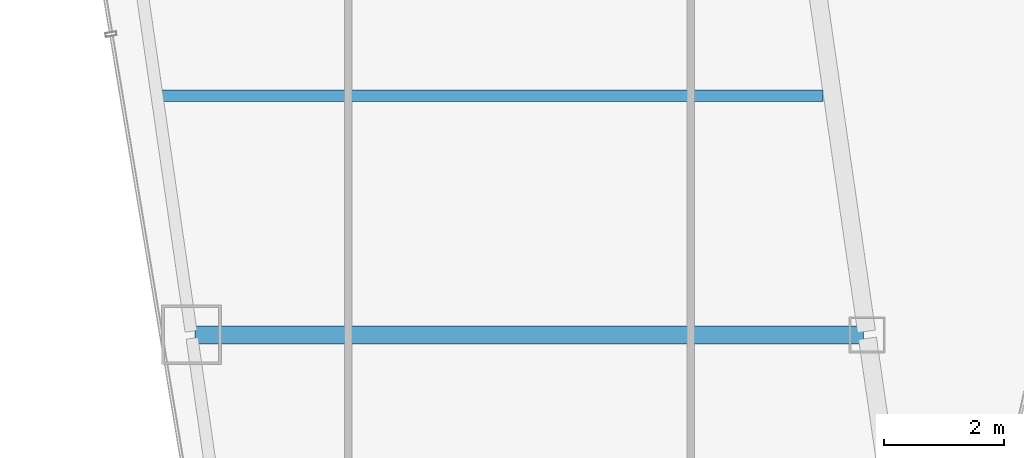
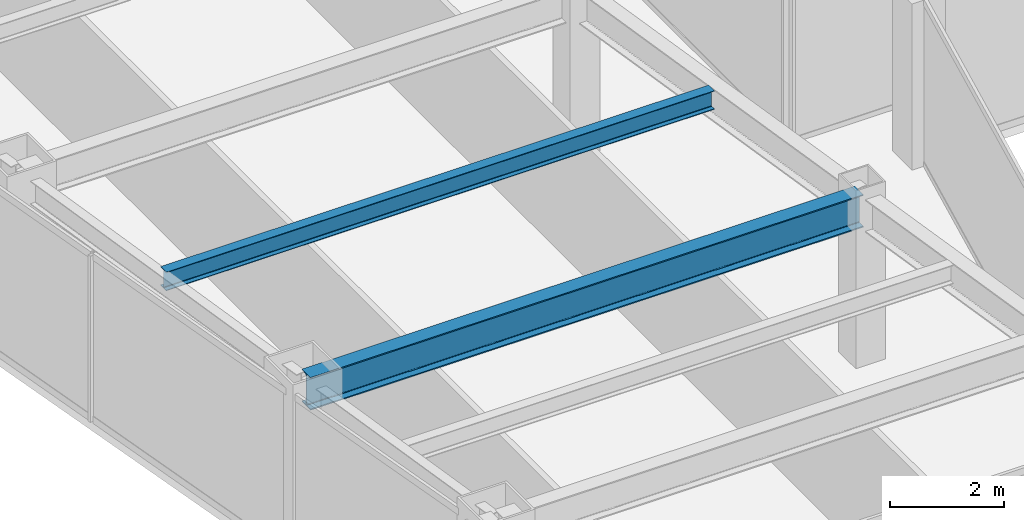
# One storey, part 4 of 38: 2 beams.
"""IFC4 building model written with IfcOpenShell, lengths in metres."""

from ifc_helpers import new_model, si_unit, direction, frame, origin, origin_2d, place, context, subcontext, project, spatial, i_section, extrude, material, material_profile, profile_set, type_object, element, save


model = new_model("IFC4")

# Units and contexts
model_context = context("Model", 3, precision=1e-05, world=origin(), true_north=direction((0.0, 1.0)))
body_context = subcontext(model_context, "Body", "Model", "MODEL_VIEW")
ifc_project = project(units=[si_unit("LENGTHUNIT", "METRE"), si_unit("AREAUNIT", "SQUARE_METRE"), si_unit("VOLUMEUNIT", "CUBIC_METRE"), si_unit("PLANEANGLEUNIT", "RADIAN"), si_unit("MASSUNIT", "GRAM", prefix="KILO")], contexts=[model_context])

# Site, building, storey
site_placement = place(None, origin())
site = spatial("IfcSite", under=ifc_project, at=site_placement, CompositionType="ELEMENT")
building_placement = place(site_placement, origin())
building = spatial("IfcBuilding", under=site, at=building_placement, Name="Saevonmaru Cultural Tower", CompositionType="ELEMENT")
storey_placement = place(building_placement, frame((0.0, 0.0, 133.39990234375)))
storey = spatial("IfcBuildingStorey", under=building, at=storey_placement, Name="L28", CompositionType="ELEMENT", Elevation=133.39990234375)

# Beams
ifc_material = material(Name="Steel SM355", Category="steel")
ifc_material_profile_1 = material_profile(ifc_material, i_section(OverallWidth=0.300048828125, OverallDepth=0.699951171875, WebThickness=0.012939453125, FlangeThickness=0.02392578125, FilletRadius=0.02587890625, at=origin_2d()), Name="H-700x300x13x24")
ifc_profile_set_1 = profile_set([ifc_material_profile_1], Name="Steel SM355")
beam_type_1 = type_object("IfcBeamType", Name="BM-G-H700", PredefinedType="BEAM", material=ifc_profile_set_1)
beam_1_placement = place(storey_placement, frame((10.68798828125, 16.0, 3.2001953125), z_axis=(1.0, 0.0, 0.0), x_axis=(0.0, 1.0, 0.0)))
element("IfcBeam", 1, at=beam_1_placement, inside=storey, type_object=beam_type_1, Name="L28 West Wing Transverse Girder 2", PredefinedType="BEAM", context=body_context, shape_type="SweptSolid", body=[
    extrude(i_section(OverallWidth=0.300048828125, OverallDepth=0.699951171875, WebThickness=0.012939453125, FlangeThickness=0.02392578125, FilletRadius=0.02587890625, at=origin_2d()), origin(), (0.0, 0.0, 1.0), 11.179931640625),
])
ifc_material_profile_2 = material_profile(ifc_material, i_section(OverallWidth=0.199951171875, OverallDepth=0.39990234375, WebThickness=0.008056640625, FlangeThickness=0.012939453125, FilletRadius=0.01611328125, at=origin_2d()), Name="H-400x200x8x13")
ifc_profile_set_2 = profile_set([ifc_material_profile_2], Name="Steel SM355")
beam_type_2 = type_object("IfcBeamType", Name="BM-J-H400", PredefinedType="JOIST", material=ifc_profile_set_2)
beam_2_placement = place(storey_placement, frame((10.110107421875, 20.0, 3.35009765625), z_axis=(1.0, 0.0, 0.0), x_axis=(0.0, 1.0, 0.0)))
element("IfcBeam", 2, at=beam_2_placement, inside=storey, type_object=beam_type_2, Name="L28 West Wing Floor Joist 2", PredefinedType="JOIST", context=body_context, shape_type="SweptSolid", body=[
    extrude(i_section(OverallWidth=0.199951171875, OverallDepth=0.39990234375, WebThickness=0.008056640625, FlangeThickness=0.012939453125, FilletRadius=0.01611328125, at=origin_2d()), origin(), (0.0, 0.0, 1.0), 11.081787109375),
])

save(model, "model.ifc")
